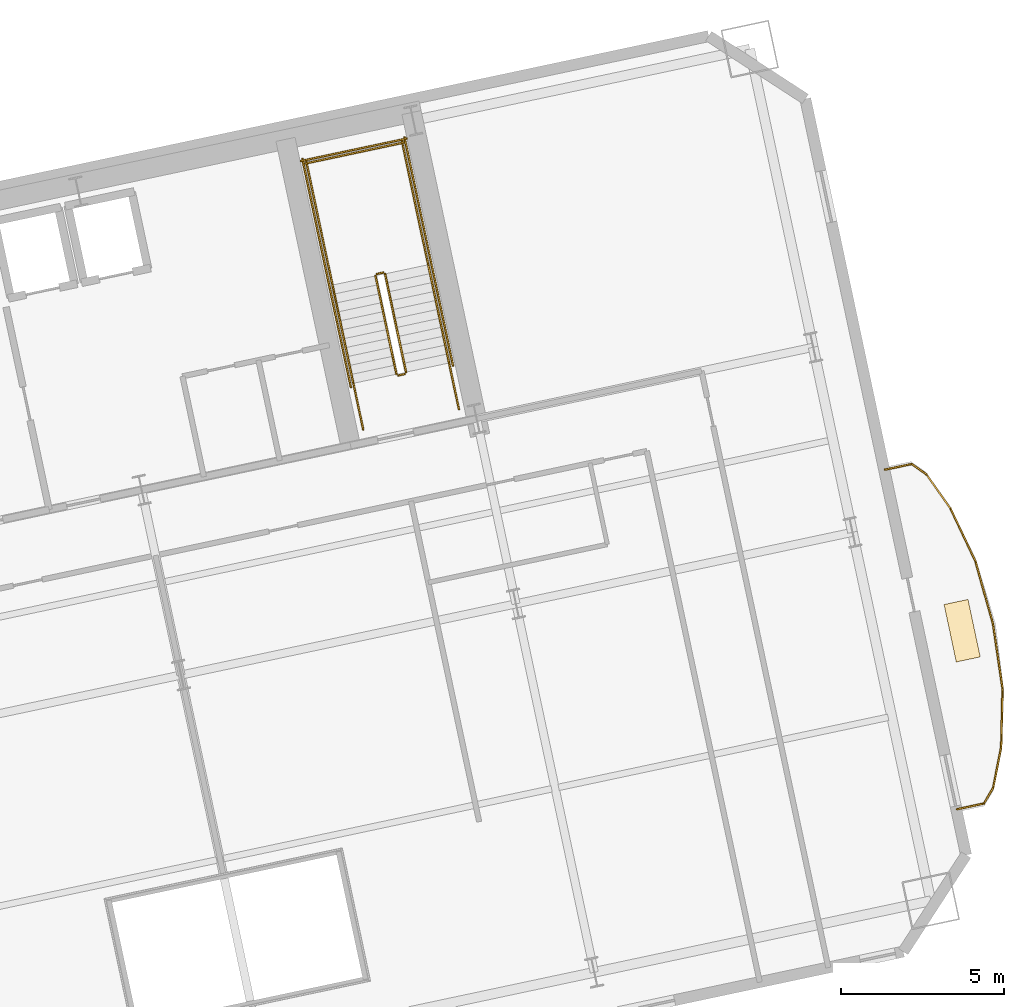
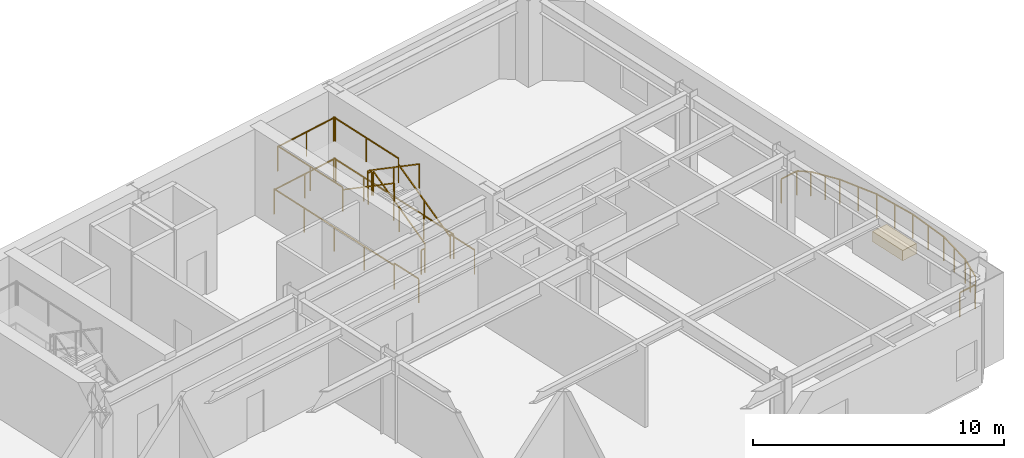
# One storey, part 15 of 15: 24 railings, 1 covering.
"""IFC4 building model written with IfcOpenShell, lengths in metres."""

from ifc_helpers import new_model, si_unit, direction, frame, origin, origin_2d, place, context, subcontext, project, spatial, rectangle, extrude, material, layer, layer_set, type_object, element, save


model = new_model("IFC4")

# Units and contexts
model_context = context("Model", 3, precision=1e-05, world=origin(), true_north=direction((0.0, 1.0)))
body_context = subcontext(model_context, "Body", "Model", "MODEL_VIEW")
ifc_project = project(units=[si_unit("LENGTHUNIT", "METRE"), si_unit("AREAUNIT", "SQUARE_METRE"), si_unit("VOLUMEUNIT", "CUBIC_METRE"), si_unit("PLANEANGLEUNIT", "RADIAN"), si_unit("MASSUNIT", "GRAM", prefix="KILO")], contexts=[model_context])

# Site, building, storey
site_placement = place(None, origin())
site = spatial("IfcSite", under=ifc_project, at=site_placement, CompositionType="ELEMENT")
building_placement = place(site_placement, origin())
building = spatial("IfcBuilding", under=site, at=building_placement, Name="Haevon Station Towers", CompositionType="ELEMENT")
storey_placement = place(building_placement, frame((0.0, 0.0, 77.699951171875)))
storey = spatial("IfcBuildingStorey", under=building, at=storey_placement, Name="L20", CompositionType="ELEMENT", Elevation=77.699951171875)

# Railings
ifc_material_1 = material(Name="Steel S355", Category="steel")
railing_type_1 = type_object("IfcRailingType", Name="GRD-EXT1200", PredefinedType="GUARDRAIL", material=ifc_material_1)
railing_1_placement = place(storey_placement, frame((134.028076171875, 29.838134765625, 0.0)))
element("IfcRailing", 1, at=railing_1_placement, inside=storey, type_object=railing_type_1, Name="L20 Perimeter Guardrail 1", PredefinedType="GUARDRAIL", context=body_context, shape_type="SweptSolid", body=[
    extrude(rectangle(XDim=0.048095703125, YDim=0.048095703125, at=origin_2d()), frame((0.0, 0.0, 1.17578125), z_axis=(0.97761867619, 0.210384704682, 0.0), x_axis=(-0.210384704682, 0.97761867619, 0.0)), (0.0, 0.0, 1.0), 0.837890625),
    extrude(rectangle(XDim=0.0419921875, YDim=0.0419921875, at=origin_2d()), origin(), (0.0, 0.0, 1.0), 1.15185546875),
    extrude(rectangle(XDim=0.0419921875, YDim=0.0419921875, at=origin_2d()), frame((0.819091796875, 0.17626953125, 0.0)), (0.0, 0.0, 1.0), 1.15185546875),
])
railing_2_placement = place(storey_placement, frame((134.84716796875, 30.014404296875, 0.0)))
element("IfcRailing", 2, at=railing_2_placement, inside=storey, type_object=railing_type_1, Name="L20 Perimeter Guardrail 2", PredefinedType="GUARDRAIL", context=body_context, shape_type="SweptSolid", body=[
    extrude(rectangle(XDim=0.048095703125, YDim=0.048095703125, at=origin_2d()), frame((0.0, 0.0, 1.17578125), z_axis=(0.508242948438, 0.861213739651, 0.0), x_axis=(-0.861213739651, 0.508242948438, 0.0)), (0.0, 0.0, 1.0), 0.55810546875),
    extrude(rectangle(XDim=0.0419921875, YDim=0.0419921875, at=origin_2d()), origin(), (0.0, 0.0, 1.0), 1.15185546875),
    extrude(rectangle(XDim=0.0419921875, YDim=0.0419921875, at=origin_2d()), frame((0.28369140625, 0.480712890625, 0.0)), (0.0, 0.0, 1.0), 1.15185546875),
])
railing_3_placement = place(storey_placement, frame((135.130859375, 30.4951171875, 0.0)))
element("IfcRailing", 3, at=railing_3_placement, inside=storey, type_object=railing_type_1, Name="L20 Perimeter Guardrail 3", PredefinedType="GUARDRAIL", context=body_context, shape_type="SweptSolid", body=[
    extrude(rectangle(XDim=0.048095703125, YDim=0.048095703125, at=origin_2d()), frame((0.0, 0.0, 1.17578125), z_axis=(0.193200510437, 0.981159295307, 0.0), x_axis=(-0.981159295307, 0.193200510437, 0.0)), (0.0, 0.0, 1.0), 1.2724609375),
    extrude(rectangle(XDim=0.0419921875, YDim=0.0419921875, at=origin_2d()), origin(), (0.0, 0.0, 1.0), 1.15185546875),
    extrude(rectangle(XDim=0.0419921875, YDim=0.0419921875, at=origin_2d()), frame((0.123046875, 0.624267578125, 0.0)), (0.0, 0.0, 1.0), 1.15185546875),
    extrude(rectangle(XDim=0.0419921875, YDim=0.0419921875, at=origin_2d()), frame((0.245849609375, 1.24853515625, 0.0)), (0.0, 0.0, 1.0), 1.15185546875),
])
railing_4_placement = place(storey_placement, frame((135.376708984375, 31.74365234375, 0.0)))
element("IfcRailing", 4, at=railing_4_placement, inside=storey, type_object=railing_type_1, Name="L20 Perimeter Guardrail 4", PredefinedType="GUARDRAIL", context=body_context, shape_type="SweptSolid", body=[
    extrude(rectangle(XDim=0.048095703125, YDim=0.048095703125, at=origin_2d()), frame((0.0, 0.0, 1.17578125), z_axis=(0.02312935788, 0.999732480619, 0.0), x_axis=(-0.999732480619, 0.02312935788, 0.0)), (0.0, 0.0, 1.0), 1.79443359375),
    extrude(rectangle(XDim=0.0419921875, YDim=0.0419921875, at=origin_2d()), origin(), (0.0, 0.0, 1.0), 1.15185546875),
    extrude(rectangle(XDim=0.0419921875, YDim=0.0419921875, at=origin_2d()), frame((0.020751953125, 0.89697265625, 0.0)), (0.0, 0.0, 1.0), 1.15185546875),
    extrude(rectangle(XDim=0.0419921875, YDim=0.0419921875, at=origin_2d()), frame((0.04150390625, 1.7939453125, 0.0)), (0.0, 0.0, 1.0), 1.15185546875),
])
railing_5_placement = place(storey_placement, frame((135.418212890625, 33.53759765625, 0.0)))
element("IfcRailing", 5, at=railing_5_placement, inside=storey, type_object=railing_type_1, Name="L20 Perimeter Guardrail 5", PredefinedType="GUARDRAIL", context=body_context, shape_type="SweptSolid", body=[
    extrude(rectangle(XDim=0.048095703125, YDim=0.048095703125, at=origin_2d()), frame((0.0, 0.0, 1.17578125), z_axis=(-0.14575095832, 0.989321311884, 0.0), x_axis=(-0.989321311884, -0.14575095832, 0.0)), (0.0, 0.0, 1.0), 1.99658203125),
    extrude(rectangle(XDim=0.0419921875, YDim=0.0419921875, at=origin_2d()), origin(), (0.0, 0.0, 1.0), 1.15185546875),
    extrude(rectangle(XDim=0.0419921875, YDim=0.0419921875, at=origin_2d()), frame((-0.1455078125, 0.98779296875, 0.0)), (0.0, 0.0, 1.0), 1.15185546875),
    extrude(rectangle(XDim=0.0419921875, YDim=0.0419921875, at=origin_2d()), frame((-0.291015625, 1.975341796875, 0.0)), (0.0, 0.0, 1.0), 1.15185546875),
])
railing_6_placement = place(storey_placement, frame((135.127197265625, 35.512939453125, 0.0)))
element("IfcRailing", 6, at=railing_6_placement, inside=storey, type_object=railing_type_1, Name="L20 Perimeter Guardrail 6", PredefinedType="GUARDRAIL", context=body_context, shape_type="SweptSolid", body=[
    extrude(rectangle(XDim=0.048095703125, YDim=0.048095703125, at=origin_2d()), frame((0.0, 0.0, 1.17578125), z_axis=(-0.269339680849, 0.963045241056, 0.0), x_axis=(-0.963045241056, -0.269339680849, 0.0)), (0.0, 0.0, 1.0), 1.996826171875),
    extrude(rectangle(XDim=0.0419921875, YDim=0.0419921875, at=origin_2d()), origin(), (0.0, 0.0, 1.0), 1.15185546875),
    extrude(rectangle(XDim=0.0419921875, YDim=0.0419921875, at=origin_2d()), frame((-0.26904296875, 0.96142578125, 0.0)), (0.0, 0.0, 1.0), 1.15185546875),
    extrude(rectangle(XDim=0.0419921875, YDim=0.0419921875, at=origin_2d()), frame((-0.537841796875, 1.923095703125, 0.0)), (0.0, 0.0, 1.0), 1.15185546875),
])
railing_7_placement = place(storey_placement, frame((134.58935546875, 37.43603515625, 0.0)))
element("IfcRailing", 7, at=railing_7_placement, inside=storey, type_object=railing_type_1, Name="L20 Perimeter Guardrail 7", PredefinedType="GUARDRAIL", context=body_context, shape_type="SweptSolid", body=[
    extrude(rectangle(XDim=0.048095703125, YDim=0.048095703125, at=origin_2d()), frame((0.0, 0.0, 1.17578125), z_axis=(-0.427624252203, 0.903956580222, 0.0), x_axis=(-0.903956580222, -0.427624252203, 0.0)), (0.0, 0.0, 1.0), 1.79443359375),
    extrude(rectangle(XDim=0.0419921875, YDim=0.0419921875, at=origin_2d()), origin(), (0.0, 0.0, 1.0), 1.15185546875),
    extrude(rectangle(XDim=0.0419921875, YDim=0.0419921875, at=origin_2d()), frame((-0.3837890625, 0.81103515625, 0.0)), (0.0, 0.0, 1.0), 1.15185546875),
    extrude(rectangle(XDim=0.0419921875, YDim=0.0419921875, at=origin_2d()), frame((-0.767333984375, 1.6220703125, 0.0)), (0.0, 0.0, 1.0), 1.15185546875),
])
railing_8_placement = place(storey_placement, frame((133.822021484375, 39.05810546875, 0.0)))
element("IfcRailing", 8, at=railing_8_placement, inside=storey, type_object=railing_type_1, Name="L20 Perimeter Guardrail 8", PredefinedType="GUARDRAIL", context=body_context, shape_type="SweptSolid", body=[
    extrude(rectangle(XDim=0.048095703125, YDim=0.048095703125, at=origin_2d()), frame((0.0, 0.0, 1.17578125), z_axis=(-0.575597959633, 0.817732834651, 0.0), x_axis=(-0.817732834651, -0.575597959633, 0.0)), (0.0, 0.0, 1.0), 1.2724609375),
    extrude(rectangle(XDim=0.0419921875, YDim=0.0419921875, at=origin_2d()), origin(), (0.0, 0.0, 1.0), 1.15185546875),
    extrude(rectangle(XDim=0.0419921875, YDim=0.0419921875, at=origin_2d()), frame((-0.3662109375, 0.520263671875, 0.0)), (0.0, 0.0, 1.0), 1.15185546875),
    extrude(rectangle(XDim=0.0419921875, YDim=0.0419921875, at=origin_2d()), frame((-0.732421875, 1.04052734375, 0.0)), (0.0, 0.0, 1.0), 1.15185546875),
])
railing_9_placement = place(storey_placement, frame((133.089599609375, 40.0986328125, 0.0)))
element("IfcRailing", 9, at=railing_9_placement, inside=storey, type_object=railing_type_1, Name="L20 Perimeter Guardrail 9", PredefinedType="GUARDRAIL", context=body_context, shape_type="SweptSolid", body=[
    extrude(rectangle(XDim=0.048095703125, YDim=0.048095703125, at=origin_2d()), frame((0.0, 0.0, 1.17578125), z_axis=(-0.814560283211, 0.580078912748, 0.0), x_axis=(-0.580078912748, -0.814560283211, 0.0)), (0.0, 0.0, 1.0), 0.55810546875),
    extrude(rectangle(XDim=0.0419921875, YDim=0.0419921875, at=origin_2d()), origin(), (0.0, 0.0, 1.0), 1.15185546875),
    extrude(rectangle(XDim=0.0419921875, YDim=0.0419921875, at=origin_2d()), frame((-0.45458984375, 0.32373046875, 0.0)), (0.0, 0.0, 1.0), 1.15185546875),
])
railing_10_placement = place(storey_placement, frame((132.635009765625, 40.42236328125, 0.0)))
element("IfcRailing", 10, at=railing_10_placement, inside=storey, type_object=railing_type_1, Name="L20 Perimeter Guardrail 10", PredefinedType="GUARDRAIL", context=body_context, shape_type="SweptSolid", body=[
    extrude(rectangle(XDim=0.048095703125, YDim=0.048095703125, at=origin_2d()), frame((0.0, 0.0, 1.17578125), z_axis=(-0.978617737227, -0.20568744343, 0.0), x_axis=(0.20568744343, -0.978617737227, 0.0)), (0.0, 0.0, 1.0), 0.837890625),
    extrude(rectangle(XDim=0.0419921875, YDim=0.0419921875, at=origin_2d()), origin(), (0.0, 0.0, 1.0), 1.15185546875),
    extrude(rectangle(XDim=0.0419921875, YDim=0.0419921875, at=origin_2d()), frame((-0.820068359375, -0.17236328125, 0.0)), (0.0, 0.0, 1.0), 1.15185546875),
])
railing_type_2 = type_object("IfcRailingType", Name="GRD-STR1200", PredefinedType="GUARDRAIL", material=ifc_material_1)
railing_11_placement = place(storey_placement, frame((117.128662109375, 43.23974609375, 0.175048828125)))
element("IfcRailing", 11, at=railing_11_placement, inside=storey, type_object=railing_type_2, Name="L20 ST4 Stair Guard 1", PredefinedType="GUARDRAIL", context=body_context, shape_type="SweptSolid", body=[
    extrude(rectangle(XDim=0.048095703125, YDim=0.048095703125, at=origin_2d()), frame((0.0, 0.0, 1.17578125), z_axis=(-0.176310905062, 0.829461139329, 0.53000819154), x_axis=(-0.978146762005, -0.207915636689, 0.0)), (0.0, 0.0, 1.0), 3.632080078125),
    extrude(rectangle(XDim=0.0419921875, YDim=0.0419921875, at=origin_2d()), origin(), (0.0, 0.0, 1.0), 1.15185546875),
    extrude(rectangle(XDim=0.0419921875, YDim=0.0419921875, at=origin_2d()), frame((-0.3203125, 1.50634765625, 0.96240234375)), (0.0, 0.0, 1.0), 1.15185546875),
    extrude(rectangle(XDim=0.0419921875, YDim=0.0419921875, at=origin_2d()), frame((-0.640380859375, 3.0126953125, 1.925048828125)), (0.0, 0.0, 1.0), 1.15185546875),
])
railing_12_placement = place(storey_placement, frame((116.428955078125, 46.291015625, 2.10009765625)))
element("IfcRailing", 12, at=railing_12_placement, inside=storey, type_object=railing_type_2, Name="L20 ST4 Stair Guard 2", PredefinedType="GUARDRAIL", context=body_context, shape_type="SweptSolid", body=[
    extrude(rectangle(XDim=0.048095703125, YDim=0.048095703125, at=origin_2d()), frame((0.0, 0.0, 1.17578125), z_axis=(-0.977962931203, -0.208778603291, 0.0), x_axis=(0.208778603291, -0.977962931203, 0.0)), (0.0, 0.0, 1.0), 0.199951171875),
    extrude(rectangle(XDim=0.0419921875, YDim=0.0419921875, at=origin_2d()), origin(), (0.0, 0.0, 1.0), 1.15185546875),
    extrude(rectangle(XDim=0.0419921875, YDim=0.0419921875, at=origin_2d()), frame((-0.195556640625, -0.041748046875, 0.0)), (0.0, 0.0, 1.0), 1.15185546875),
])
for number, where, name in (
    (13, (117.808837890625, 46.533203125, 2.10009765625), "L20 ST4 Stair Guard 3"),
    (14, (114.874267578125, 45.909423828125, 2.10009765625), "L20 ST4 Stair Guard 4"),
):
    element("IfcRailing", number, at=place(storey_placement, frame(where)), inside=storey, type_object=railing_type_2, Name=name, PredefinedType="GUARDRAIL", context=body_context, shape_type="SweptSolid", body=[
        extrude(rectangle(XDim=0.048095703125, YDim=0.048095703125, at=origin_2d()), frame((0.0, 0.0, 1.17578125), z_axis=(-0.207930432828, 0.978143616809, 0.0), x_axis=(-0.978143616809, -0.207930432828, 0.0)), (0.0, 0.0, 1.0), 3.869873046875),
        extrude(rectangle(XDim=0.0419921875, YDim=0.0419921875, at=origin_2d()), origin(), (0.0, 0.0, 1.0), 1.15185546875),
        extrude(rectangle(XDim=0.0419921875, YDim=0.0419921875, at=origin_2d()), frame((-0.40234375, 1.892578125, 0.0)), (0.0, 0.0, 1.0), 1.15185546875),
        extrude(rectangle(XDim=0.0419921875, YDim=0.0419921875, at=origin_2d()), frame((-0.8046875, 3.785400390625, 0.0)), (0.0, 0.0, 1.0), 1.15185546875),
    ])
railing_13_placement = place(storey_placement, frame((117.0634765625, 50.280029296875, 2.10009765625)))
element("IfcRailing", 15, at=railing_13_placement, inside=storey, type_object=railing_type_2, Name="L20 ST4 Stair Guard 5", PredefinedType="GUARDRAIL", context=body_context, shape_type="SweptSolid", body=[
    extrude(rectangle(XDim=0.048095703125, YDim=0.048095703125, at=origin_2d()), frame((0.0, 0.0, 1.17578125), z_axis=(-0.978146839882, -0.207915270313, 0.0), x_axis=(0.207915270313, -0.978146839882, 0.0)), (0.0, 0.0, 1.0), 3.099853515625),
    extrude(rectangle(XDim=0.0419921875, YDim=0.0419921875, at=origin_2d()), origin(), (0.0, 0.0, 1.0), 1.15185546875),
    extrude(rectangle(XDim=0.0419921875, YDim=0.0419921875, at=origin_2d()), frame((-1.51611328125, -0.322265625, 0.0)), (0.0, 0.0, 1.0), 1.15185546875),
    extrude(rectangle(XDim=0.0419921875, YDim=0.0419921875, at=origin_2d()), frame((-3.0322265625, -0.64453125, 0.0)), (0.0, 0.0, 1.0), 1.15185546875),
])
railing_14_placement = place(storey_placement, frame((116.19482421875, 46.18994140625, 2.275146484375)))
element("IfcRailing", 16, at=railing_14_placement, inside=storey, type_object=railing_type_2, Name="L20 ST4 Stair Guard 6", PredefinedType="GUARDRAIL", context=body_context, shape_type="SweptSolid", body=[
    extrude(rectangle(XDim=0.048095703125, YDim=0.048095703125, at=origin_2d()), frame((0.0, 0.0, 1.17578125), z_axis=(0.176317186199, -0.829490689172, 0.5299598536), x_axis=(0.978146762005, 0.207915636689, 0.0)), (0.0, 0.0, 1.0), 3.632080078125),
    extrude(rectangle(XDim=0.0419921875, YDim=0.0419921875, at=origin_2d()), origin(), (0.0, 0.0, 1.0), 1.15185546875),
    extrude(rectangle(XDim=0.0419921875, YDim=0.0419921875, at=origin_2d()), frame((0.3203125, -1.50634765625, 0.96240234375)), (0.0, 0.0, 1.0), 1.15185546875),
    extrude(rectangle(XDim=0.0419921875, YDim=0.0419921875, at=origin_2d()), frame((0.640380859375, -3.0126953125, 1.9248046875)), (0.0, 0.0, 1.0), 1.15185546875),
])
railing_15_placement = place(storey_placement, frame((117.090087890625, 43.180419921875, 0.0)))
element("IfcRailing", 17, at=railing_15_placement, inside=storey, type_object=railing_type_2, Name="L20 ST4 Stair Guard 7", PredefinedType="GUARDRAIL", context=body_context, shape_type="SweptSolid", body=[
    extrude(rectangle(XDim=0.048095703125, YDim=0.048095703125, at=origin_2d()), frame((0.0, 0.0, 1.17578125), z_axis=(-0.978211583308, -0.207610448392, 0.0), x_axis=(0.207610448392, -0.978211583308, 0.0)), (0.0, 0.0, 1.0), 0.199951171875),
    extrude(rectangle(XDim=0.0419921875, YDim=0.0419921875, at=origin_2d()), origin(), (0.0, 0.0, 1.0), 1.15185546875),
    extrude(rectangle(XDim=0.0419921875, YDim=0.0419921875, at=origin_2d()), frame((-0.195556640625, -0.04150390625, 0.0)), (0.0, 0.0, 1.0), 1.15185546875),
])
for number, where, name in (
    (18, (118.75048828125, 42.10205078125, 0.0), "L20 ST4 Stair Guard 8"),
    (19, (115.816162109375, 41.478271484375, 0.0), "L20 ST4 Stair Guard 9"),
):
    element("IfcRailing", number, at=place(storey_placement, frame(where)), inside=storey, type_object=railing_type_2, Name=name, PredefinedType="GUARDRAIL", context=body_context, shape_type="SweptSolid", body=[
        extrude(rectangle(XDim=0.048095703125, YDim=0.048095703125, at=origin_2d()), frame((0.0, 0.0, 1.17578125), z_axis=(-0.207919161079, 0.978146012851, 0.0), x_axis=(-0.978146012851, -0.207919161079, 0.0)), (0.0, 0.0, 1.0), 1.4501953125),
        extrude(rectangle(XDim=0.0419921875, YDim=0.0419921875, at=origin_2d()), origin(), (0.0, 0.0, 1.0), 1.15185546875),
        extrude(rectangle(XDim=0.0419921875, YDim=0.0419921875, at=origin_2d()), frame((-0.301513671875, 1.41845703125, 0.0)), (0.0, 0.0, 1.0), 1.15185546875),
    ])
railing_16_placement = place(storey_placement, frame((118.567626953125, 43.443359375, 0.0)))
element("IfcRailing", 20, at=railing_16_placement, inside=storey, type_object=railing_type_2, Name="L20 ST4 Stair Guard 10", PredefinedType="GUARDRAIL", context=body_context, shape_type="SweptSolid", body=[
    extrude(rectangle(XDim=0.048095703125, YDim=0.048095703125, at=origin_2d()), frame((0.0, 0.0, 1.17578125), z_axis=(-0.207908168386, 0.978148349443, 0.0), x_axis=(-0.978148349443, -0.207908168386, 0.0)), (0.0, 0.0, 1.0), 7.150146484375),
    extrude(rectangle(XDim=0.0419921875, YDim=0.0419921875, at=origin_2d()), origin(), (0.0, 0.0, 1.0), 1.15185546875),
    extrude(rectangle(XDim=0.0419921875, YDim=0.0419921875, at=origin_2d()), frame((-0.37158203125, 1.74853515625, 0.0)), (0.0, 0.0, 1.0), 1.15185546875),
    extrude(rectangle(XDim=0.0419921875, YDim=0.0419921875, at=origin_2d()), frame((-0.7431640625, 3.4970703125, 0.0)), (0.0, 0.0, 1.0), 1.15185546875),
    extrude(rectangle(XDim=0.0419921875, YDim=0.0419921875, at=origin_2d()), frame((-1.114990234375, 5.245361328125, 0.0)), (0.0, 0.0, 1.0), 1.15185546875),
    extrude(rectangle(XDim=0.0419921875, YDim=0.0419921875, at=origin_2d()), frame((-1.486572265625, 6.993896484375, 0.0)), (0.0, 0.0, 1.0), 1.15185546875),
])
railing_17_placement = place(storey_placement, frame((115.4375, 42.778076171875, 0.0)))
element("IfcRailing", 21, at=railing_17_placement, inside=storey, type_object=railing_type_2, Name="L20 ST4 Stair Guard 11", PredefinedType="GUARDRAIL", context=body_context, shape_type="SweptSolid", body=[
    extrude(rectangle(XDim=0.048095703125, YDim=0.048095703125, at=origin_2d()), frame((0.0, 0.0, 1.17578125), z_axis=(-0.207882442208, 0.978153817261, 0.0), x_axis=(-0.978153817261, -0.207882442208, 0.0)), (0.0, 0.0, 1.0), 7.14990234375),
    extrude(rectangle(XDim=0.0419921875, YDim=0.0419921875, at=origin_2d()), origin(), (0.0, 0.0, 1.0), 1.15185546875),
    extrude(rectangle(XDim=0.0419921875, YDim=0.0419921875, at=origin_2d()), frame((-0.37158203125, 1.74853515625, 0.0)), (0.0, 0.0, 1.0), 1.15185546875),
    extrude(rectangle(XDim=0.0419921875, YDim=0.0419921875, at=origin_2d()), frame((-0.7431640625, 3.496826171875, 0.0)), (0.0, 0.0, 1.0), 1.15185546875),
    extrude(rectangle(XDim=0.0419921875, YDim=0.0419921875, at=origin_2d()), frame((-1.11474609375, 5.2451171875, 0.0)), (0.0, 0.0, 1.0), 1.15185546875),
    extrude(rectangle(XDim=0.0419921875, YDim=0.0419921875, at=origin_2d()), frame((-1.486328125, 6.99365234375, 0.0)), (0.0, 0.0, 1.0), 1.15185546875),
])
railing_18_placement = place(storey_placement, frame((117.140380859375, 50.398681640625, 0.0)))
element("IfcRailing", 22, at=railing_18_placement, inside=storey, type_object=railing_type_2, Name="L20 ST4 Stair Guard 12", PredefinedType="GUARDRAIL", context=body_context, shape_type="SweptSolid", body=[
    extrude(rectangle(XDim=0.048095703125, YDim=0.048095703125, at=origin_2d()), frame((0.0, 0.0, 1.17578125), z_axis=(-0.978135717418, -0.207967589567, 0.0), x_axis=(0.207967589567, -0.978135717418, 0.0)), (0.0, 0.0, 1.0), 3.300048828125),
    extrude(rectangle(XDim=0.0419921875, YDim=0.0419921875, at=origin_2d()), origin(), (0.0, 0.0, 1.0), 1.15185546875),
    extrude(rectangle(XDim=0.0419921875, YDim=0.0419921875, at=origin_2d()), frame((-1.61376953125, -0.34326171875, 0.0)), (0.0, 0.0, 1.0), 1.15185546875),
    extrude(rectangle(XDim=0.0419921875, YDim=0.0419921875, at=origin_2d()), frame((-3.227783203125, -0.686279296875, 0.0)), (0.0, 0.0, 1.0), 1.15185546875),
])
railing_type_3 = type_object("IfcRailingType", Name="HND-STR900", PredefinedType="HANDRAIL", material=ifc_material_1)
railing_19_placement = place(storey_placement, frame((118.448974609375, 43.5205078125, 0.175048828125)))
element("IfcRailing", 23, at=railing_19_placement, inside=storey, type_object=railing_type_3, Name="L20 ST4 Stair Handrail 1", PredefinedType="HANDRAIL", context=body_context, shape_type="SweptSolid", body=[
    extrude(rectangle(XDim=0.048095703125, YDim=0.048095703125, at=origin_2d()), frame((0.0, 0.0, 0.8759765625), z_axis=(-0.176245776117, 0.829470967688, 0.530014471655), x_axis=(-0.978162879887, -0.207839795062, 0.0)), (0.0, 0.0, 1.0), 3.632080078125),
    extrude(rectangle(XDim=0.0419921875, YDim=0.0419921875, at=origin_2d()), origin(), (0.0, 0.0, 1.0), 0.851806640625),
    extrude(rectangle(XDim=0.0419921875, YDim=0.0419921875, at=origin_2d()), frame((-0.320068359375, 1.50634765625, 0.96240234375)), (0.0, 0.0, 1.0), 0.851806640625),
    extrude(rectangle(XDim=0.0419921875, YDim=0.0419921875, at=origin_2d()), frame((-0.64013671875, 3.0126953125, 1.925048828125)), (0.0, 0.0, 1.0), 0.851806640625),
])
railing_20_placement = place(storey_placement, frame((114.874267578125, 45.909423828125, 2.275146484375)))
element("IfcRailing", 24, at=railing_20_placement, inside=storey, type_object=railing_type_3, Name="L20 ST4 Stair Handrail 2", PredefinedType="HANDRAIL", context=body_context, shape_type="SweptSolid", body=[
    extrude(rectangle(XDim=0.048095703125, YDim=0.048095703125, at=origin_2d()), frame((0.0, 0.0, 0.8759765625), z_axis=(0.176317186199, -0.829490689172, 0.5299598536), x_axis=(0.978146762005, 0.207915636689, 0.0)), (0.0, 0.0, 1.0), 3.632080078125),
    extrude(rectangle(XDim=0.0419921875, YDim=0.0419921875, at=origin_2d()), origin(), (0.0, 0.0, 1.0), 0.851806640625),
    extrude(rectangle(XDim=0.0419921875, YDim=0.0419921875, at=origin_2d()), frame((0.3203125, -1.50634765625, 0.96240234375)), (0.0, 0.0, 1.0), 0.851806640625),
    extrude(rectangle(XDim=0.0419921875, YDim=0.0419921875, at=origin_2d()), frame((0.640380859375, -3.0126953125, 1.9248046875)), (0.0, 0.0, 1.0), 0.851806640625),
])

# Covering
ifc_material_2 = material(Name="Architectural planter GRC", Category="concrete")
ifc_layer = layer(ifc_material_2, 0.550048828125)
ifc_layer_set = layer_set([ifc_layer], Name="Architectural planter GRC")
covering_type = type_object("IfcCoveringType", Name="PLN-GRC550", PredefinedType="MOLDING", material=ifc_layer_set)
covering_placement = place(storey_placement, frame((134.180419921875, 35.311767578125, 0.0), z_axis=(0.0, 0.0, 1.0), x_axis=(0.978147600734, 0.207911690818, 0.0)))
element("IfcCovering", 25, at=covering_placement, inside=storey, type_object=covering_type, Name="Tower 2 L20 Scalloped Balcony PLANTER", PredefinedType="MOLDING", context=body_context, shape_type="SweptSolid", body=[
    extrude(rectangle(XDim=0.75, YDim=1.800048828125, at=origin_2d()), origin(), (0.0, 0.0, 1.0), 0.5),
])

save(model, "model.ifc")
